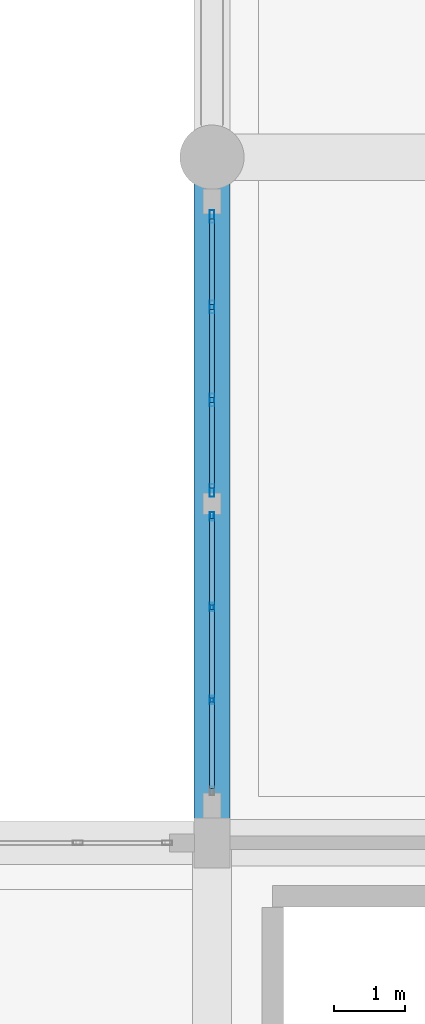
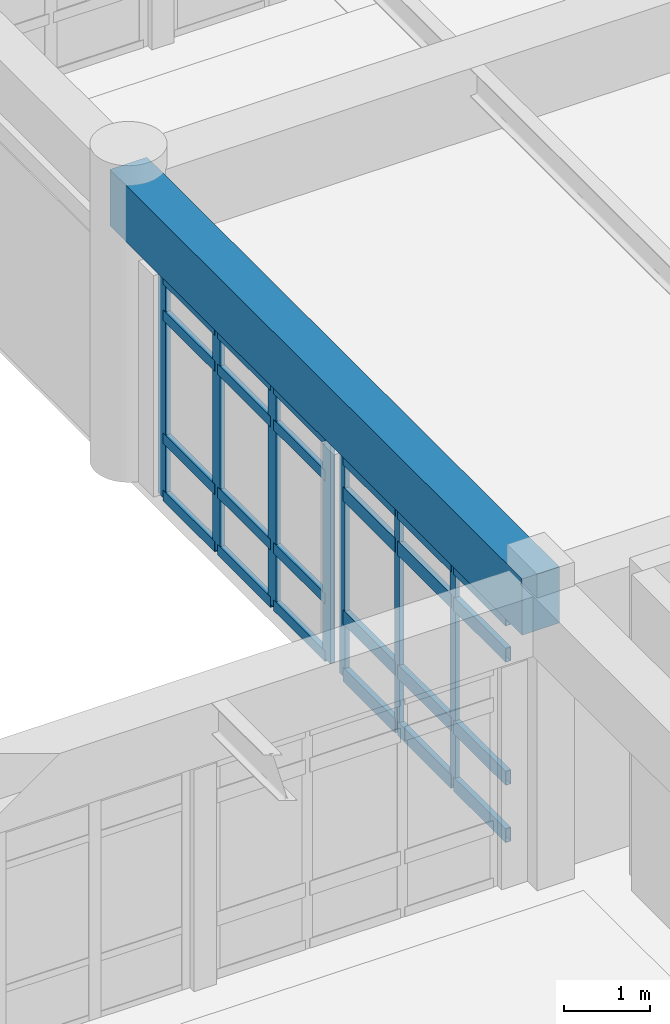
# One storey, part 18 of 80: 31 members, 1 beam, 2 elements without a shape of their own.
"""IFC4 building model written with IfcOpenShell, lengths in metres."""

import ifcopenshell
import ifcopenshell.guid

model = None  # the IFC model being written
_history = None  # IfcOwnerHistory: only IFC2X3 demands one
_inside = {}  # id of a spatial element -> (the spatial element, [elements in it])
_under = {}  # id of a project, library or spatial element -> (it, [spatial elements below it])
_declared = {}  # id of a project -> (the project, [libraries it declares])
_typed = {}  # id of a type object -> (the type object, [elements of that type])
_made_of = {}  # id of a material, layer set ... -> (it, [elements and type objects made of it])


def new_model(schema):
    """Start an empty IFC model of exactly this schema.

    Asked for "IFC4X3", IfcOpenShell would pick the latest addendum, in which some entities
    have other attributes; the version numbers below select the first issue.
    IFC2X3 requires an IfcOwnerHistory on every rooted entity: one is made here for all.
    """
    global model, _history
    if schema == "IFC4X3":
        model = ifcopenshell.file(schema_version=(4, 3, 0, 0))
    else:
        model = ifcopenshell.file(schema=schema)
    _inside.clear()
    _under.clear()
    _declared.clear()
    _typed.clear()
    _made_of.clear()
    _history = None
    if model.schema == "IFC2X3":
        org = make("IfcOrganization", Name="unknown")
        user = make(
            "IfcPersonAndOrganization",
            ThePerson=make("IfcPerson", FamilyName="unknown"),
            TheOrganization=org,
        )
        app = make(
            "IfcApplication",
            ApplicationDeveloper=org,
            Version="unknown",
            ApplicationFullName="unknown",
            ApplicationIdentifier="unknown",
        )
        _history = make(
            "IfcOwnerHistory",
            OwningUser=user,
            OwningApplication=app,
            ChangeAction="ADDED",
            CreationDate=0,
        )
    return model


def make(cls, **values):
    """One entity of the class cls with the attributes given. An attribute that is None is left unset."""
    return model.create_entity(
        cls, **{name: value for name, value in values.items() if value is not None}
    )


def rooted(cls, **values):
    """An entity with a GlobalId (a new one), such as an element, a storey or a relation."""
    return make(cls, GlobalId=ifcopenshell.guid.new(), OwnerHistory=_history, **values)


def si_unit(unit_type, name, prefix=None):
    """IfcSIUnit, for example si_unit("LENGTHUNIT", "METRE", prefix="MILLI")."""
    return make("IfcSIUnit", UnitType=unit_type, Prefix=prefix, Name=name)


def assignment(units):
    """IfcUnitAssignment: the units of a project."""
    return None if units is None else make("IfcUnitAssignment", Units=units)


def point(xyz):
    """IfcCartesianPoint."""
    return None if xyz is None else make("IfcCartesianPoint", Coordinates=xyz)


def direction(xyz):
    """IfcDirection."""
    return None if xyz is None else make("IfcDirection", DirectionRatios=xyz)


def frame(location, z_axis=None, x_axis=None):
    """IfcAxis2Placement3D, a coordinate frame: its origin and axes. An axis left out is left unset."""
    return make(
        "IfcAxis2Placement3D",
        Location=point(location),
        Axis=direction(z_axis),
        RefDirection=direction(x_axis),
    )


def frame_2d(location, x_axis=None):
    """IfcAxis2Placement2D, a coordinate frame in the plane: its origin and x axis."""
    return make(
        "IfcAxis2Placement2D", Location=point(location), RefDirection=direction(x_axis)
    )


def origin():
    """The frame at (0, 0, 0) with its axes left unset."""
    return frame((0.0, 0.0, 0.0))


def origin_2d():
    """The frame at (0, 0) in the plane with its x axis left unset."""
    return frame_2d((0.0, 0.0))


def place(relative_to, where):
    """IfcLocalPlacement: puts the frame where relative to a parent placement (None: the world)."""
    return make(
        "IfcLocalPlacement", PlacementRelTo=relative_to, RelativePlacement=where
    )


def context(
    kind, dimensions, precision=None, world=None, true_north=None, identifier=None
):
    """IfcGeometricRepresentationContext, for example the 3D "Model" context."""
    return make(
        "IfcGeometricRepresentationContext",
        ContextIdentifier=identifier,
        ContextType=kind,
        CoordinateSpaceDimension=dimensions,
        Precision=precision,
        WorldCoordinateSystem=world,
        TrueNorth=true_north,
    )


def subcontext(parent, identifier, kind, view, scale=None):
    """IfcGeometricRepresentationSubContext, for example "Body" below "Model"."""
    return make(
        "IfcGeometricRepresentationSubContext",
        ContextIdentifier=identifier,
        ContextType=kind,
        ParentContext=parent,
        TargetScale=scale,
        TargetView=view,
    )


def project(units=None, contexts=None):
    """IfcProject with its units and contexts."""
    return rooted(
        "IfcProject",
        Name="project",
        RepresentationContexts=contexts,
        UnitsInContext=assignment(units),
    )


def spatial(cls, under=None, at=None, **own):
    """A site, building, storey or space (cls), placed at a placement, below another one or the project."""
    s = rooted(cls, ObjectPlacement=at, **own)
    if under is not None:
        _under.setdefault(under.id(), (under, []))[1].append(s)
    return s


def profile(cls, at=None, kind="AREA", **sizes):
    """A parametric profile (cls). Its sizes go by their IFC names, for example OverallWidth=200.0."""
    return make(cls, ProfileType=kind, Position=at, **sizes)


def rectangle(**sizes):
    """IfcRectangleProfileDef."""
    return profile("IfcRectangleProfileDef", **sizes)


def hollow_rectangle(**sizes):
    """IfcRectangleHollowProfileDef."""
    return profile("IfcRectangleHollowProfileDef", **sizes)


def extrude(swept, where, along, depth):
    """IfcExtrudedAreaSolid: the profile swept, set in the frame where, extruded along a direction by depth."""
    return make(
        "IfcExtrudedAreaSolid",
        SweptArea=swept,
        Position=where,
        ExtrudedDirection=direction(along),
        Depth=depth,
    )


def shape(context_of_items, identifier, shape_type, items):
    """IfcShapeRepresentation: the items that make up one representation, for example the "Body"."""
    return make(
        "IfcShapeRepresentation",
        ContextOfItems=context_of_items,
        RepresentationIdentifier=identifier,
        RepresentationType=shape_type,
        Items=items,
    )


def material(Name=None, Category=None):
    """IfcMaterial."""
    return make("IfcMaterial", Name=Name, Category=Category)


def layer(
    of_material, thickness, ventilated=None, Name=None, Category=None, Priority=None
):
    """IfcMaterialLayer: one layer of a wall or slab, of a material (None: an air gap)."""
    return make(
        "IfcMaterialLayer",
        Material=of_material,
        LayerThickness=thickness,
        IsVentilated=ventilated,
        Name=Name,
        Category=Category,
        Priority=Priority,
    )


def layer_set(layers, Name=None):
    """IfcMaterialLayerSet."""
    return make("IfcMaterialLayerSet", MaterialLayers=layers, LayerSetName=Name)


def material_profile(
    of_material, cross_section, Name=None, Category=None, Priority=None
):
    """IfcMaterialProfile: a cross section and its material."""
    return make(
        "IfcMaterialProfile",
        Name=Name,
        Material=of_material,
        Profile=cross_section,
        Priority=Priority,
        Category=Category,
    )


def profile_set(profiles, Name=None, composite=None):
    """IfcMaterialProfileSet."""
    return make(
        "IfcMaterialProfileSet",
        Name=Name,
        MaterialProfiles=profiles,
        CompositeProfile=composite,
    )


def made_of(thing, what):
    """Note that an element or type object is made of a material, layer set ...; save() writes the relation."""
    if what is not None:
        _made_of.setdefault(what.id(), (what, []))[1].append(thing)
    return thing


def type_object(cls, material=None, **own):
    """A type object (cls), such as IfcWallType, which elements share."""
    return made_of(rooted(cls, **own), material)


def element(
    cls,
    number,
    at=None,
    inside=None,
    cuts=None,
    type_object=None,
    material=None,
    context=None,
    identifier="Body",
    shape_type=None,
    held_by="IfcProductDefinitionShape",
    body=None,
    shapes=None,
    **own,
):
    """One element of the class cls, such as IfcWall. Its Tag is "e" and its number.

    at: its placement. inside: the storey or other place that contains it. cuts: it is an
    opening in that element (IfcRelVoidsElement). A single representation is given by context,
    identifier, shape_type and body (its items); several are given by shapes. held_by: the class
    of the entity that holds the representations. save() writes the other relations.
    """
    e = rooted(cls, Tag="e%d" % number, ObjectPlacement=at, **own)
    if body is not None:
        shapes = [shape(context, identifier, shape_type, body)]
    if shapes is not None:
        e.Representation = make(held_by, Representations=shapes)
    if inside is not None:
        _inside.setdefault(inside.id(), (inside, []))[1].append(e)
    if cuts is not None:
        rooted(
            "IfcRelVoidsElement", RelatingBuildingElement=cuts, RelatedOpeningElement=e
        )
    if type_object is not None:
        _typed.setdefault(type_object.id(), (type_object, []))[1].append(e)
    return made_of(e, material)


def aggregate(whole, parts):
    """IfcRelAggregates: a whole, such as a stair, and the parts it consists of."""
    return rooted("IfcRelAggregates", RelatingObject=whole, RelatedObjects=parts)


def save(model, path):
    """Write the relations noted so far, then the file.

    IfcRelAggregates (storeys below a building ...), IfcRelContainedInSpatialStructure (elements
    in a storey), IfcRelDefinesByType, IfcRelAssociatesMaterial and IfcRelDeclares: one each for
    every whole, place, type object, material and project.
    """
    for whole, parts in _under.values():
        aggregate(whole, parts)
    for where, things in _inside.values():
        rooted(
            "IfcRelContainedInSpatialStructure",
            RelatedElements=things,
            RelatingStructure=where,
        )
    for kind, things in _typed.values():
        rooted("IfcRelDefinesByType", RelatedObjects=things, RelatingType=kind)
    for what, things in _made_of.values():
        rooted("IfcRelAssociatesMaterial", RelatedObjects=things, RelatingMaterial=what)
    for by, libraries in _declared.values():
        rooted("IfcRelDeclares", RelatingContext=by, RelatedDefinitions=libraries)
    model.write(path)


model = new_model("IFC4")

# Units and contexts
model_context = context("Model", 3, precision=1e-05, world=origin(), true_north=direction((0.0, 1.0)))
body_context = subcontext(model_context, "Body", "Model", "MODEL_VIEW")
ifc_project = project(units=[si_unit("LENGTHUNIT", "METRE"), si_unit("AREAUNIT", "SQUARE_METRE"), si_unit("VOLUMEUNIT", "CUBIC_METRE"), si_unit("PLANEANGLEUNIT", "RADIAN"), si_unit("MASSUNIT", "GRAM", prefix="KILO")], contexts=[model_context])

# Site, building, storey
site_placement = place(None, origin())
site = spatial("IfcSite", under=ifc_project, at=site_placement, CompositionType="ELEMENT")
building_placement = place(site_placement, origin())
building = spatial("IfcBuilding", under=site, at=building_placement, Name="Fikremerkos Civic Library", CompositionType="ELEMENT")
storey_placement = place(building_placement, frame((0.0, 0.0, 9.89990234375)))
storey = spatial("IfcBuildingStorey", under=building, at=storey_placement, Name="L02", CompositionType="ELEMENT", Elevation=9.89990234375)

# Curtain wall, members
ifc_material_1 = material(Name="Anodized aluminium Frame", Category="aluminium")
ifc_layer_1 = layer(ifc_material_1, 0.159912109375, Name="Anodized aluminium Frame")
ifc_layer_set_1 = layer_set([ifc_layer_1], Name="Anodized aluminium Frame")
curtain_wall_type_1 = type_object("IfcCurtainWallType", Name="Unitised curtain wall CW-09 3600x3400", PredefinedType="USERDEFINED", material=ifc_layer_set_1)
curtain_wall_1_placement = place(storey_placement, origin())
curtain_wall_1 = element("IfcCurtainWall", 1, at=curtain_wall_1_placement, inside=storey, type_object=curtain_wall_type_1, Name="Unitised curtain wall CW-09 L02 #153", ObjectType="UNITISED CURTAIN WALL", PredefinedType="USERDEFINED")
ifc_material_profile_1 = material_profile(ifc_material_1, hollow_rectangle(XDim=0.06494140625, YDim=0.179931640625, WallThickness=0.00439453125, at=origin_2d()), Name="ALU 180x65x4.5")
ifc_profile_set_1 = profile_set([ifc_material_profile_1], Name="Anodized aluminium Frame")
member_type_1 = type_object("IfcMemberType", Name="Curtain mullion CWM-01 ALU 180x65x4.5", PredefinedType="MULLION", material=ifc_profile_set_1)
member_1_placement = place(storey_placement, frame((46.199951171875, 36.132568359375, 0.0), z_axis=(0.0, 0.0, 1.0), x_axis=(-1.0, 0.0, 0.0)))
member_1 = element("IfcMember", 2, at=member_1_placement, type_object=member_type_1, Name="CW-09 mullion 1", PredefinedType="MULLION", context=body_context, shape_type="SweptSolid", body=[
    extrude(hollow_rectangle(XDim=0.06494140625, YDim=0.179931640625, WallThickness=0.00439453125, at=origin_2d()), origin(), (0.0, 0.0, 1.0), 3.150146484375),
])
member_2_placement = place(storey_placement, frame((46.199951171875, 37.400634765625, 0.0), z_axis=(0.0, 0.0, 1.0), x_axis=(-1.0, 0.0, 0.0)))
member_2 = element("IfcMember", 3, at=member_2_placement, type_object=member_type_1, Name="CW-09 mullion 2", PredefinedType="MULLION", context=body_context, shape_type="SweptSolid", body=[
    extrude(hollow_rectangle(XDim=0.06494140625, YDim=0.179931640625, WallThickness=0.00439453125, at=origin_2d()), origin(), (0.0, 0.0, 1.0), 3.150146484375),
])
member_3_placement = place(storey_placement, frame((46.199951171875, 38.701416015625, 0.0), z_axis=(0.0, 0.0, 1.0), x_axis=(-1.0, 0.0, 0.0)))
member_3 = element("IfcMember", 4, at=member_3_placement, type_object=member_type_1, Name="CW-09 mullion 3", PredefinedType="MULLION", context=body_context, shape_type="SweptSolid", body=[
    extrude(hollow_rectangle(XDim=0.06494140625, YDim=0.179931640625, WallThickness=0.00439453125, at=origin_2d()), origin(), (0.0, 0.0, 1.0), 3.150146484375),
])
member_4_placement = place(storey_placement, frame((46.199951171875, 39.969482421875, 0.0), z_axis=(0.0, 0.0, 1.0), x_axis=(-1.0, 0.0, 0.0)))
member_4 = element("IfcMember", 5, at=member_4_placement, type_object=member_type_1, Name="CW-09 mullion 4", PredefinedType="MULLION", context=body_context, shape_type="SweptSolid", body=[
    extrude(hollow_rectangle(XDim=0.06494140625, YDim=0.179931640625, WallThickness=0.00439453125, at=origin_2d()), origin(), (0.0, 0.0, 1.0), 3.150146484375),
])

ifc_layer_2 = layer(ifc_material_1, 0.159912109375, Name="Anodized aluminium Frame")
ifc_layer_set_2 = layer_set([ifc_layer_2], Name="Anodized aluminium Frame")
curtain_wall_type_2 = type_object("IfcCurtainWallType", Name="Unitised curtain wall CW-08 4500x4100", PredefinedType="USERDEFINED", material=ifc_layer_set_2)
curtain_wall_2_placement = place(storey_placement, origin())
curtain_wall_2 = element("IfcCurtainWall", 6, at=curtain_wall_2_placement, inside=storey, type_object=curtain_wall_type_2, Name="Unitised curtain wall CW-08 L02 #152", ObjectType="UNITISED CURTAIN WALL", PredefinedType="USERDEFINED")
ifc_material_profile_2 = material_profile(ifc_material_1, hollow_rectangle(XDim=0.06005859375, YDim=0.1201171875, WallThickness=0.00390625, at=origin_2d()), Name="ALU 120x60x4")
ifc_profile_set_2 = profile_set([ifc_material_profile_2], Name="Anodized aluminium Frame")
member_type_2 = type_object("IfcMemberType", Name="Curtain mullion CWM-04 ALU 120x60x4", PredefinedType="MULLION", material=ifc_profile_set_2)
member_5_placement = place(storey_placement, frame((46.199951171875, 33.19873046875, 0.0), z_axis=(0.0, 0.0, 1.0), x_axis=(-1.0, 0.0, 0.0)))
member_5 = element("IfcMember", 7, at=member_5_placement, type_object=member_type_2, Name="CW-08 mullion 2", PredefinedType="MULLION", context=body_context, shape_type="SweptSolid", body=[
    extrude(hollow_rectangle(XDim=0.06005859375, YDim=0.1201171875, WallThickness=0.00390625, at=origin_2d()), origin(), (0.0, 0.0, 1.0), 3.150146484375),
])
member_6_placement = place(storey_placement, frame((46.199951171875, 34.499267578125, 0.0), z_axis=(0.0, 0.0, 1.0), x_axis=(-1.0, 0.0, 0.0)))
member_6 = element("IfcMember", 8, at=member_6_placement, type_object=member_type_2, Name="CW-08 mullion 3", PredefinedType="MULLION", context=body_context, shape_type="SweptSolid", body=[
    extrude(hollow_rectangle(XDim=0.06005859375, YDim=0.1201171875, WallThickness=0.00390625, at=origin_2d()), origin(), (0.0, 0.0, 1.0), 3.150146484375),
])
member_7_placement = place(storey_placement, frame((46.199951171875, 35.77001953125, 0.0), z_axis=(0.0, 0.0, 1.0), x_axis=(-1.0, 0.0, 0.0)))
member_7 = element("IfcMember", 9, at=member_7_placement, type_object=member_type_2, Name="CW-08 mullion 4", PredefinedType="MULLION", context=body_context, shape_type="SweptSolid", body=[
    extrude(hollow_rectangle(XDim=0.06005859375, YDim=0.1201171875, WallThickness=0.00390625, at=origin_2d()), origin(), (0.0, 0.0, 1.0), 3.150146484375),
])

# Member
ifc_material_profile_3 = material_profile(ifc_material_1, hollow_rectangle(XDim=0.070068359375, YDim=0.14990234375, WallThickness=0.00439453125, at=origin_2d()), Name="ALU 150x70x4.5")
ifc_profile_set_3 = profile_set([ifc_material_profile_3], Name="Anodized aluminium Frame")
member_type_3 = type_object("IfcMemberType", Name="Curtain transom CWT-01 ALU 150x70x4.5", PredefinedType="USERDEFINED", material=ifc_profile_set_3)
member_8_placement = place(storey_placement, frame((46.199951171875, 36.1650390625, 0.03515625), z_axis=(0.0, 1.0, 0.0), x_axis=(-1.0, 0.0, 0.0)))
member_8 = element("IfcMember", 10, at=member_8_placement, type_object=member_type_3, Name="CW-09 transom 1.1", ObjectType="TRANSOM", PredefinedType="USERDEFINED", context=body_context, shape_type="SweptSolid", body=[
    extrude(hollow_rectangle(XDim=0.070068359375, YDim=0.14990234375, WallThickness=0.00439453125, at=origin_2d()), origin(), (0.0, 0.0, 1.0), 1.203125),
])

member_9_placement = place(storey_placement, frame((46.199951171875, 36.1650390625, 0.85009765625), z_axis=(0.0, 1.0, 0.0), x_axis=(-1.0, 0.0, 0.0)))
member_9 = element("IfcMember", 11, at=member_9_placement, type_object=member_type_3, Name="CW-09 transom 1.2", ObjectType="TRANSOM", PredefinedType="USERDEFINED", context=body_context, shape_type="SweptSolid", body=[
    extrude(hollow_rectangle(XDim=0.070068359375, YDim=0.14990234375, WallThickness=0.00439453125, at=origin_2d()), origin(), (0.0, 0.0, 1.0), 1.203125),
])

member_10_placement = place(storey_placement, frame((46.199951171875, 36.1650390625, 2.60009765625), z_axis=(0.0, 1.0, 0.0), x_axis=(-1.0, 0.0, 0.0)))
member_10 = element("IfcMember", 12, at=member_10_placement, type_object=member_type_3, Name="CW-09 transom 1.3", ObjectType="TRANSOM", PredefinedType="USERDEFINED", context=body_context, shape_type="SweptSolid", body=[
    extrude(hollow_rectangle(XDim=0.070068359375, YDim=0.14990234375, WallThickness=0.00439453125, at=origin_2d()), origin(), (0.0, 0.0, 1.0), 1.203125),
])

member_11_placement = place(storey_placement, frame((46.199951171875, 36.1650390625, 3.114990234375), z_axis=(0.0, 1.0, 0.0), x_axis=(-1.0, 0.0, 0.0)))
member_11 = element("IfcMember", 13, at=member_11_placement, type_object=member_type_3, Name="CW-09 transom 1.4", ObjectType="TRANSOM", PredefinedType="USERDEFINED", context=body_context, shape_type="SweptSolid", body=[
    extrude(hollow_rectangle(XDim=0.070068359375, YDim=0.14990234375, WallThickness=0.00439453125, at=origin_2d()), origin(), (0.0, 0.0, 1.0), 1.203125),
])

member_12_placement = place(storey_placement, frame((46.199951171875, 37.43310546875, 0.03515625), z_axis=(0.0, 1.0, 0.0), x_axis=(-1.0, 0.0, 0.0)))
member_12 = element("IfcMember", 14, at=member_12_placement, type_object=member_type_3, Name="CW-09 transom 2.1", ObjectType="TRANSOM", PredefinedType="USERDEFINED", context=body_context, shape_type="SweptSolid", body=[
    extrude(hollow_rectangle(XDim=0.070068359375, YDim=0.14990234375, WallThickness=0.00439453125, at=origin_2d()), origin(), (0.0, 0.0, 1.0), 1.23583984375),
])

member_13_placement = place(storey_placement, frame((46.199951171875, 37.43310546875, 0.85009765625), z_axis=(0.0, 1.0, 0.0), x_axis=(-1.0, 0.0, 0.0)))
member_13 = element("IfcMember", 15, at=member_13_placement, type_object=member_type_3, Name="CW-09 transom 2.2", ObjectType="TRANSOM", PredefinedType="USERDEFINED", context=body_context, shape_type="SweptSolid", body=[
    extrude(hollow_rectangle(XDim=0.070068359375, YDim=0.14990234375, WallThickness=0.00439453125, at=origin_2d()), origin(), (0.0, 0.0, 1.0), 1.23583984375),
])

member_14_placement = place(storey_placement, frame((46.199951171875, 37.43310546875, 2.60009765625), z_axis=(0.0, 1.0, 0.0), x_axis=(-1.0, 0.0, 0.0)))
member_14 = element("IfcMember", 16, at=member_14_placement, type_object=member_type_3, Name="CW-09 transom 2.3", ObjectType="TRANSOM", PredefinedType="USERDEFINED", context=body_context, shape_type="SweptSolid", body=[
    extrude(hollow_rectangle(XDim=0.070068359375, YDim=0.14990234375, WallThickness=0.00439453125, at=origin_2d()), origin(), (0.0, 0.0, 1.0), 1.23583984375),
])

member_15_placement = place(storey_placement, frame((46.199951171875, 37.43310546875, 3.114990234375), z_axis=(0.0, 1.0, 0.0), x_axis=(-1.0, 0.0, 0.0)))
member_15 = element("IfcMember", 17, at=member_15_placement, type_object=member_type_3, Name="CW-09 transom 2.4", ObjectType="TRANSOM", PredefinedType="USERDEFINED", context=body_context, shape_type="SweptSolid", body=[
    extrude(hollow_rectangle(XDim=0.070068359375, YDim=0.14990234375, WallThickness=0.00439453125, at=origin_2d()), origin(), (0.0, 0.0, 1.0), 1.23583984375),
])

member_16_placement = place(storey_placement, frame((46.199951171875, 38.73388671875, 0.03515625), z_axis=(0.0, 1.0, 0.0), x_axis=(-1.0, 0.0, 0.0)))
member_16 = element("IfcMember", 18, at=member_16_placement, type_object=member_type_3, Name="CW-09 transom 3.1", ObjectType="TRANSOM", PredefinedType="USERDEFINED", context=body_context, shape_type="SweptSolid", body=[
    extrude(hollow_rectangle(XDim=0.070068359375, YDim=0.14990234375, WallThickness=0.00439453125, at=origin_2d()), origin(), (0.0, 0.0, 1.0), 1.203125),
])

member_17_placement = place(storey_placement, frame((46.199951171875, 38.73388671875, 0.85009765625), z_axis=(0.0, 1.0, 0.0), x_axis=(-1.0, 0.0, 0.0)))
member_17 = element("IfcMember", 19, at=member_17_placement, type_object=member_type_3, Name="CW-09 transom 3.2", ObjectType="TRANSOM", PredefinedType="USERDEFINED", context=body_context, shape_type="SweptSolid", body=[
    extrude(hollow_rectangle(XDim=0.070068359375, YDim=0.14990234375, WallThickness=0.00439453125, at=origin_2d()), origin(), (0.0, 0.0, 1.0), 1.203125),
])

member_18_placement = place(storey_placement, frame((46.199951171875, 38.73388671875, 2.60009765625), z_axis=(0.0, 1.0, 0.0), x_axis=(-1.0, 0.0, 0.0)))
member_18 = element("IfcMember", 20, at=member_18_placement, type_object=member_type_3, Name="CW-09 transom 3.3", ObjectType="TRANSOM", PredefinedType="USERDEFINED", context=body_context, shape_type="SweptSolid", body=[
    extrude(hollow_rectangle(XDim=0.070068359375, YDim=0.14990234375, WallThickness=0.00439453125, at=origin_2d()), origin(), (0.0, 0.0, 1.0), 1.203125),
])

member_19_placement = place(storey_placement, frame((46.199951171875, 38.73388671875, 3.114990234375), z_axis=(0.0, 1.0, 0.0), x_axis=(-1.0, 0.0, 0.0)))
member_19 = element("IfcMember", 21, at=member_19_placement, type_object=member_type_3, Name="CW-09 transom 3.4", ObjectType="TRANSOM", PredefinedType="USERDEFINED", context=body_context, shape_type="SweptSolid", body=[
    extrude(hollow_rectangle(XDim=0.070068359375, YDim=0.14990234375, WallThickness=0.00439453125, at=origin_2d()), origin(), (0.0, 0.0, 1.0), 1.203125),
])

aggregate(curtain_wall_1, [member_1, member_2, member_3, member_4, member_8, member_9, member_10, member_11, member_12, member_13, member_14, member_15, member_16, member_17, member_18, member_19])

ifc_material_profile_4 = material_profile(ifc_material_1, hollow_rectangle(XDim=0.070068359375, YDim=0.199951171875, WallThickness=0.0048828125, at=origin_2d()), Name="ALU 200x70x5")
ifc_profile_set_4 = profile_set([ifc_material_profile_4], Name="Anodized aluminium Frame")
member_type_4 = type_object("IfcMemberType", Name="Curtain transom CWT-04 ALU 200x70x5", PredefinedType="USERDEFINED", material=ifc_profile_set_4)
member_20_placement = place(storey_placement, frame((46.199951171875, 31.9580078125, 0.03515625), z_axis=(0.0, 1.0, 0.0), x_axis=(-1.0, 0.0, 0.0)))
member_20 = element("IfcMember", 22, at=member_20_placement, type_object=member_type_4, Name="CW-08 transom 1.1", ObjectType="TRANSOM", PredefinedType="USERDEFINED", context=body_context, shape_type="SweptSolid", body=[
    extrude(hollow_rectangle(XDim=0.070068359375, YDim=0.199951171875, WallThickness=0.0048828125, at=origin_2d()), origin(), (0.0, 0.0, 1.0), 1.210693359375),
])

member_21_placement = place(storey_placement, frame((46.199951171875, 31.9580078125, 0.85009765625), z_axis=(0.0, 1.0, 0.0), x_axis=(-1.0, 0.0, 0.0)))
member_21 = element("IfcMember", 23, at=member_21_placement, type_object=member_type_4, Name="CW-08 transom 1.2", ObjectType="TRANSOM", PredefinedType="USERDEFINED", context=body_context, shape_type="SweptSolid", body=[
    extrude(hollow_rectangle(XDim=0.070068359375, YDim=0.199951171875, WallThickness=0.0048828125, at=origin_2d()), origin(), (0.0, 0.0, 1.0), 1.210693359375),
])

member_22_placement = place(storey_placement, frame((46.199951171875, 31.9580078125, 2.60009765625), z_axis=(0.0, 1.0, 0.0), x_axis=(-1.0, 0.0, 0.0)))
member_22 = element("IfcMember", 24, at=member_22_placement, type_object=member_type_4, Name="CW-08 transom 1.3", ObjectType="TRANSOM", PredefinedType="USERDEFINED", context=body_context, shape_type="SweptSolid", body=[
    extrude(hollow_rectangle(XDim=0.070068359375, YDim=0.199951171875, WallThickness=0.0048828125, at=origin_2d()), origin(), (0.0, 0.0, 1.0), 1.210693359375),
])

member_23_placement = place(storey_placement, frame((46.199951171875, 31.9580078125, 3.114990234375), z_axis=(0.0, 1.0, 0.0), x_axis=(-1.0, 0.0, 0.0)))
member_23 = element("IfcMember", 25, at=member_23_placement, type_object=member_type_4, Name="CW-08 transom 1.4", ObjectType="TRANSOM", PredefinedType="USERDEFINED", context=body_context, shape_type="SweptSolid", body=[
    extrude(hollow_rectangle(XDim=0.070068359375, YDim=0.199951171875, WallThickness=0.0048828125, at=origin_2d()), origin(), (0.0, 0.0, 1.0), 1.210693359375),
])

member_24_placement = place(storey_placement, frame((46.199951171875, 33.228759765625, 0.03515625), z_axis=(0.0, 1.0, 0.0), x_axis=(-1.0, 0.0, 0.0)))
member_24 = element("IfcMember", 26, at=member_24_placement, type_object=member_type_4, Name="CW-08 transom 2.1", ObjectType="TRANSOM", PredefinedType="USERDEFINED", context=body_context, shape_type="SweptSolid", body=[
    extrude(hollow_rectangle(XDim=0.070068359375, YDim=0.199951171875, WallThickness=0.0048828125, at=origin_2d()), origin(), (0.0, 0.0, 1.0), 1.240478515625),
])

member_25_placement = place(storey_placement, frame((46.199951171875, 33.228759765625, 0.85009765625), z_axis=(0.0, 1.0, 0.0), x_axis=(-1.0, 0.0, 0.0)))
member_25 = element("IfcMember", 27, at=member_25_placement, type_object=member_type_4, Name="CW-08 transom 2.2", ObjectType="TRANSOM", PredefinedType="USERDEFINED", context=body_context, shape_type="SweptSolid", body=[
    extrude(hollow_rectangle(XDim=0.070068359375, YDim=0.199951171875, WallThickness=0.0048828125, at=origin_2d()), origin(), (0.0, 0.0, 1.0), 1.240478515625),
])

member_26_placement = place(storey_placement, frame((46.199951171875, 33.228759765625, 2.60009765625), z_axis=(0.0, 1.0, 0.0), x_axis=(-1.0, 0.0, 0.0)))
member_26 = element("IfcMember", 28, at=member_26_placement, type_object=member_type_4, Name="CW-08 transom 2.3", ObjectType="TRANSOM", PredefinedType="USERDEFINED", context=body_context, shape_type="SweptSolid", body=[
    extrude(hollow_rectangle(XDim=0.070068359375, YDim=0.199951171875, WallThickness=0.0048828125, at=origin_2d()), origin(), (0.0, 0.0, 1.0), 1.240478515625),
])

member_27_placement = place(storey_placement, frame((46.199951171875, 33.228759765625, 3.114990234375), z_axis=(0.0, 1.0, 0.0), x_axis=(-1.0, 0.0, 0.0)))
member_27 = element("IfcMember", 29, at=member_27_placement, type_object=member_type_4, Name="CW-08 transom 2.4", ObjectType="TRANSOM", PredefinedType="USERDEFINED", context=body_context, shape_type="SweptSolid", body=[
    extrude(hollow_rectangle(XDim=0.070068359375, YDim=0.199951171875, WallThickness=0.0048828125, at=origin_2d()), origin(), (0.0, 0.0, 1.0), 1.240478515625),
])

member_28_placement = place(storey_placement, frame((46.199951171875, 34.529296875, 0.03515625), z_axis=(0.0, 1.0, 0.0), x_axis=(-1.0, 0.0, 0.0)))
member_28 = element("IfcMember", 30, at=member_28_placement, type_object=member_type_4, Name="CW-08 transom 3.1", ObjectType="TRANSOM", PredefinedType="USERDEFINED", context=body_context, shape_type="SweptSolid", body=[
    extrude(hollow_rectangle(XDim=0.070068359375, YDim=0.199951171875, WallThickness=0.0048828125, at=origin_2d()), origin(), (0.0, 0.0, 1.0), 1.210693359375),
])

member_29_placement = place(storey_placement, frame((46.199951171875, 34.529296875, 0.85009765625), z_axis=(0.0, 1.0, 0.0), x_axis=(-1.0, 0.0, 0.0)))
member_29 = element("IfcMember", 31, at=member_29_placement, type_object=member_type_4, Name="CW-08 transom 3.2", ObjectType="TRANSOM", PredefinedType="USERDEFINED", context=body_context, shape_type="SweptSolid", body=[
    extrude(hollow_rectangle(XDim=0.070068359375, YDim=0.199951171875, WallThickness=0.0048828125, at=origin_2d()), origin(), (0.0, 0.0, 1.0), 1.210693359375),
])

member_30_placement = place(storey_placement, frame((46.199951171875, 34.529296875, 2.60009765625), z_axis=(0.0, 1.0, 0.0), x_axis=(-1.0, 0.0, 0.0)))
member_30 = element("IfcMember", 32, at=member_30_placement, type_object=member_type_4, Name="CW-08 transom 3.3", ObjectType="TRANSOM", PredefinedType="USERDEFINED", context=body_context, shape_type="SweptSolid", body=[
    extrude(hollow_rectangle(XDim=0.070068359375, YDim=0.199951171875, WallThickness=0.0048828125, at=origin_2d()), origin(), (0.0, 0.0, 1.0), 1.210693359375),
])

member_31_placement = place(storey_placement, frame((46.199951171875, 34.529296875, 3.114990234375), z_axis=(0.0, 1.0, 0.0), x_axis=(-1.0, 0.0, 0.0)))
member_31 = element("IfcMember", 33, at=member_31_placement, type_object=member_type_4, Name="CW-08 transom 3.4", ObjectType="TRANSOM", PredefinedType="USERDEFINED", context=body_context, shape_type="SweptSolid", body=[
    extrude(hollow_rectangle(XDim=0.070068359375, YDim=0.199951171875, WallThickness=0.0048828125, at=origin_2d()), origin(), (0.0, 0.0, 1.0), 1.210693359375),
])

aggregate(curtain_wall_2, [member_5, member_6, member_7, member_20, member_21, member_22, member_23, member_24, member_25, member_26, member_27, member_28, member_29, member_30, member_31])

# Beam
ifc_material_2 = material(Name="Concrete C40/50", Category="concrete")
ifc_material_profile_5 = material_profile(ifc_material_2, rectangle(XDim=0.5, YDim=0.800048828125, at=origin_2d()), Name="RC 500x800")
ifc_profile_set_5 = profile_set([ifc_material_profile_5], Name="Concrete C40/50")
beam_type = type_object("IfcBeamType", Name="Primary girder BM-04 RC 500x800", PredefinedType="BEAM", material=ifc_profile_set_5)
beam_placement = place(storey_placement, frame((46.199951171875, 31.199951171875, 3.820068359375), z_axis=(0.0, 1.0, 0.0), x_axis=(-1.0, 0.0, 0.0)))
element("IfcBeam", 34, at=beam_placement, inside=storey, type_object=beam_type, Name="Primary girder BM-04 L02 grid 5", PredefinedType="BEAM", context=body_context, shape_type="SweptSolid", body=[
    extrude(rectangle(XDim=0.5, YDim=0.800048828125, at=origin_2d()), origin(), (0.0, 0.0, 1.0), 9.60009765625),
])

save(model, "model.ifc")
